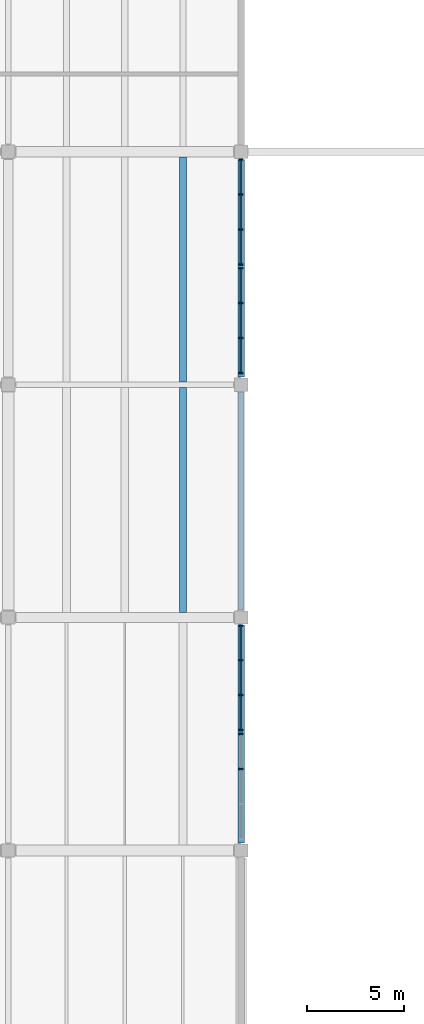
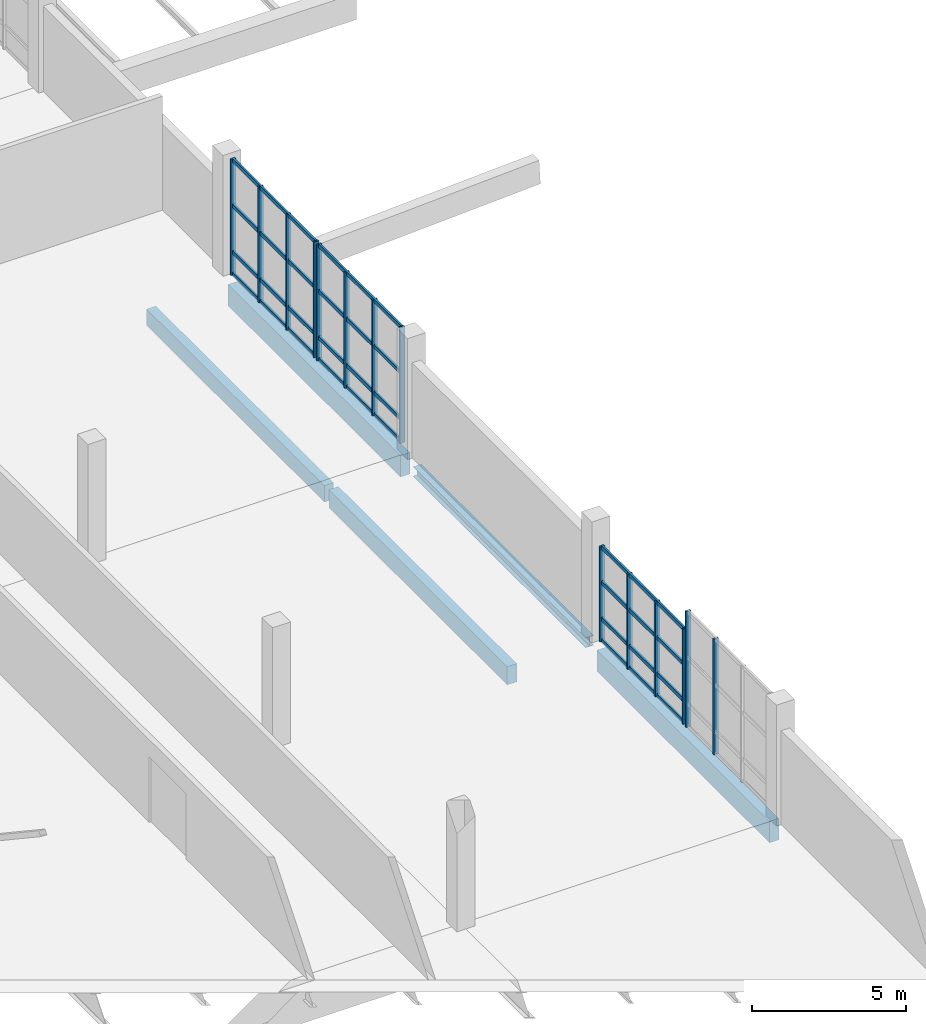
# One storey, part 12 of 49: 26 members, 5 beams, 4 elements without a shape of their own.
"""IFC4 building model written with IfcOpenShell, lengths in metres."""

from ifc_helpers import new_model, si_unit, direction, frame, origin, origin_2d, place, context, subcontext, project, spatial, rectangle, i_section, extrude, material, material_profile, profile_set, type_object, element, aggregate, save


model = new_model("IFC4")

# Units and contexts
model_context = context("Model", 3, precision=1e-05, world=origin(), true_north=direction((0.0, 1.0)))
body_context = subcontext(model_context, "Body", "Model", "MODEL_VIEW")
ifc_project = project(units=[si_unit("LENGTHUNIT", "METRE"), si_unit("AREAUNIT", "SQUARE_METRE"), si_unit("VOLUMEUNIT", "CUBIC_METRE"), si_unit("PLANEANGLEUNIT", "RADIAN"), si_unit("MASSUNIT", "GRAM", prefix="KILO")], contexts=[model_context])

# Site, building, storey
site_placement = place(None, origin())
site = spatial("IfcSite", under=ifc_project, at=site_placement, CompositionType="ELEMENT")
building_placement = place(site_placement, origin())
building = spatial("IfcBuilding", under=site, at=building_placement, Name="Kamomehara Wholesale Market", CompositionType="ELEMENT")
storey_placement = place(building_placement, frame((0.0, 0.0, 11.39990234375)))
storey = spatial("IfcBuildingStorey", under=building, at=storey_placement, Name="L02", CompositionType="ELEMENT", Elevation=11.39990234375)

# Beams
ifc_material_1 = material(Name="Precast concrete Fc45 (C40/50)", Category="concrete")
ifc_material_profile_1 = material_profile(ifc_material_1, rectangle(XDim=0.35009765625, YDim=0.64990234375, at=origin_2d()), Name="PC-JST-350x650")
ifc_profile_set_1 = profile_set([ifc_material_profile_1], Name="Precast concrete Fc45 (C40/50)")
beam_type_1 = type_object("IfcBeamType", Name="BM-PJ650", PredefinedType="JOIST", material=ifc_profile_set_1)
beam_1_placement = place(storey_placement, frame((33.0, 96.14990234375, -0.6669921875), z_axis=(0.0, 1.0, 0.0), x_axis=(-1.0, 0.0, 0.0)))
element("IfcBeam", 1, at=beam_1_placement, inside=storey, type_object=beam_type_1, Name="Beam PJ-04 L02", PredefinedType="JOIST", context=body_context, shape_type="SweptSolid", body=[
    extrude(rectangle(XDim=0.35009765625, YDim=0.64990234375, at=origin_2d()), origin(), (0.0, 0.0, 1.0), 11.5751953125),
])
ifc_material_2 = material(Name="Precast concrete Fc45 (C40/50)", Category="concrete")
ifc_material_profile_2 = material_profile(ifc_material_2, rectangle(XDim=0.360107421875, YDim=0.719970703125, at=origin_2d()), Name="PC-JST-360x720")
ifc_profile_set_2 = profile_set([ifc_material_profile_2], Name="Precast concrete Fc45 (C40/50)")
beam_type_2 = type_object("IfcBeamType", Name="BM-PJ720", PredefinedType="JOIST", material=ifc_profile_set_2)
beam_2_placement = place(storey_placement, frame((33.0, 84.25, -0.671875), z_axis=(0.0, 1.0, 0.0), x_axis=(-1.0, 0.0, 0.0)))
element("IfcBeam", 2, at=beam_2_placement, inside=storey, type_object=beam_type_2, Name="Beam PJ-08 L02", PredefinedType="JOIST", context=body_context, shape_type="SweptSolid", body=[
    extrude(rectangle(XDim=0.360107421875, YDim=0.719970703125, at=origin_2d()), origin(), (0.0, 0.0, 1.0), 11.60009765625),
])
ifc_material_3 = material(Name="Precast concrete Fc45 (C40/50)", Category="concrete")
ifc_material_profile_3 = material_profile(ifc_material_3, rectangle(XDim=0.35009765625, YDim=0.85009765625, at=origin_2d()), Name="PC-SPN-350x850")
ifc_profile_set_3 = profile_set([ifc_material_profile_3], Name="Precast concrete Fc45 (C40/50)")
beam_type_3 = type_object("IfcBeamType", Name="BM-SPN850-EXT", PredefinedType="SPANDREL", material=ifc_profile_set_3)
for number, where, z_axis, x_axis, name in (
    (3, (36.0, 72.389892578125, -0.73681640625), (0.0, 1.0, 0.0), (-1.0, 0.0, 0.0), "Beam SPN-02E L02"),
    (4, (36.0, 96.389892578125, -0.766845703125), (0.0, 1.0, 0.0), (-1.0, 0.0, 0.0), "Beam SPN-02E L02"),
):
    element("IfcBeam", number, at=place(storey_placement, frame(where, z_axis=z_axis, x_axis=x_axis)), inside=storey, type_object=beam_type_3, Name=name, PredefinedType="SPANDREL", context=body_context, shape_type="SweptSolid", body=[
        extrude(rectangle(XDim=0.35009765625, YDim=0.85009765625, at=origin_2d()), origin(), (0.0, 0.0, 1.0), 11.22021484375),
    ])
ifc_material_4 = material(Name="Steel SN490B", Category="steel")
ifc_material_profile_4 = material_profile(ifc_material_4, i_section(OverallWidth=0.300048828125, OverallDepth=0.389892578125, WebThickness=0.010009765625, FlangeThickness=0.01611328125, FilletRadius=0.01806640625, at=origin_2d()), Name="H-390x300x10x16")
ifc_profile_set_4 = profile_set([ifc_material_profile_4], Name="Steel SN490B")
beam_type_4 = type_object("IfcBeamType", Name="BM-ST-H390-EXT", PredefinedType="SPANDREL", material=ifc_profile_set_4)
beam_3_placement = place(storey_placement, frame((36.0, 84.389892578125, -0.5068359375), z_axis=(0.0, 1.0, 0.0), x_axis=(-1.0, 0.0, 0.0)))
element("IfcBeam", 5, at=beam_3_placement, inside=storey, type_object=beam_type_4, Name="Beam SJ-03E L02", PredefinedType="SPANDREL", context=body_context, shape_type="SweptSolid", body=[
    extrude(i_section(OverallWidth=0.300048828125, OverallDepth=0.389892578125, WebThickness=0.010009765625, FlangeThickness=0.01611328125, FilletRadius=0.01806640625, at=origin_2d()), origin(), (0.0, 0.0, 1.0), 11.22021484375),
])

# Curtain wall, members
ifc_material_5 = material(Name="Anodised aluminium 6063-T5", Category="aluminium")
curtain_wall_type = type_object("IfcCurtainWallType", Name="CW-UN-07", PredefinedType="NOTDEFINED", material=ifc_material_5)
curtain_wall_1_placement = place(storey_placement, origin())
curtain_wall_1 = element("IfcCurtainWall", 6, at=curtain_wall_1_placement, inside=storey, type_object=curtain_wall_type, Name="Unitised curtain wall CW-009", PredefinedType="NOTDEFINED")
ifc_material_6 = material(Name="Anodised aluminium 6063-T5", Category="aluminium")
ifc_material_profile_5 = material_profile(ifc_material_6, rectangle(XDim=0.074951171875, YDim=0.179931640625, at=origin_2d()), Name="ALU-MUL-75x180")
ifc_profile_set_5 = profile_set([ifc_material_profile_5], Name="Anodised aluminium 6063-T5")
member_type_1 = type_object("IfcMemberType", Name="CW-MUL-180", PredefinedType="MULLION", material=ifc_profile_set_5)
member_1_placement = place(storey_placement, frame((36.0, 83.60009765625, 0.0), z_axis=(0.0, 0.0, 1.0), x_axis=(0.0, -1.0, 0.0)))
member_1 = element("IfcMember", 7, at=member_1_placement, type_object=member_type_1, Name="Mullion CW-009.0", PredefinedType="MULLION", context=body_context, shape_type="SweptSolid", body=[
    extrude(rectangle(XDim=0.074951171875, YDim=0.179931640625, at=origin_2d()), origin(), (0.0, 0.0, 1.0), 3.780029296875),
])
member_2_placement = place(storey_placement, frame((36.0, 81.800048828125, 0.0), z_axis=(0.0, 0.0, 1.0), x_axis=(0.0, -1.0, 0.0)))
member_2 = element("IfcMember", 8, at=member_2_placement, type_object=member_type_1, Name="Mullion CW-009.1", PredefinedType="MULLION", context=body_context, shape_type="SweptSolid", body=[
    extrude(rectangle(XDim=0.074951171875, YDim=0.179931640625, at=origin_2d()), origin(), (0.0, 0.0, 1.0), 3.780029296875),
])
member_3_placement = place(storey_placement, frame((36.0, 80.0, 0.0), z_axis=(0.0, 0.0, 1.0), x_axis=(0.0, -1.0, 0.0)))
member_3 = element("IfcMember", 9, at=member_3_placement, type_object=member_type_1, Name="Mullion CW-009.2", PredefinedType="MULLION", context=body_context, shape_type="SweptSolid", body=[
    extrude(rectangle(XDim=0.074951171875, YDim=0.179931640625, at=origin_2d()), origin(), (0.0, 0.0, 1.0), 3.780029296875),
])
member_4_placement = place(storey_placement, frame((36.0, 78.199951171875, 0.0), z_axis=(0.0, 0.0, 1.0), x_axis=(0.0, -1.0, 0.0)))
member_4 = element("IfcMember", 10, at=member_4_placement, type_object=member_type_1, Name="Mullion CW-009.3", PredefinedType="MULLION", context=body_context, shape_type="SweptSolid", body=[
    extrude(rectangle(XDim=0.074951171875, YDim=0.179931640625, at=origin_2d()), origin(), (0.0, 0.0, 1.0), 3.780029296875),
])

curtain_wall_2_placement = place(storey_placement, origin())
curtain_wall_2 = element("IfcCurtainWall", 11, at=curtain_wall_2_placement, inside=storey, type_object=curtain_wall_type, Name="Unitised curtain wall CW-010", PredefinedType="NOTDEFINED")
member_5_placement = place(storey_placement, frame((36.0, 78.0, 0.0), z_axis=(0.0, 0.0, 1.0), x_axis=(0.0, -1.0, 0.0)))
member_5 = element("IfcMember", 12, at=member_5_placement, type_object=member_type_1, Name="Mullion CW-010.0", PredefinedType="MULLION", context=body_context, shape_type="SweptSolid", body=[
    extrude(rectangle(XDim=0.074951171875, YDim=0.179931640625, at=origin_2d()), origin(), (0.0, 0.0, 1.0), 4.60009765625),
])
member_6_placement = place(storey_placement, frame((36.0, 76.199951171875, 0.0), z_axis=(0.0, 0.0, 1.0), x_axis=(0.0, -1.0, 0.0)))
member_6 = element("IfcMember", 13, at=member_6_placement, type_object=member_type_1, Name="Mullion CW-010.1", PredefinedType="MULLION", context=body_context, shape_type="SweptSolid", body=[
    extrude(rectangle(XDim=0.074951171875, YDim=0.179931640625, at=origin_2d()), origin(), (0.0, 0.0, 1.0), 4.60009765625),
])
aggregate(curtain_wall_2, [member_5, member_6])

curtain_wall_3_placement = place(storey_placement, origin())
curtain_wall_3 = element("IfcCurtainWall", 14, at=curtain_wall_3_placement, inside=storey, type_object=curtain_wall_type, Name="Unitised curtain wall CW-011", PredefinedType="NOTDEFINED")
member_7_placement = place(storey_placement, frame((36.0, 107.60009765625, 0.0), z_axis=(0.0, 0.0, 1.0), x_axis=(0.0, -1.0, 0.0)))
member_7 = element("IfcMember", 15, at=member_7_placement, type_object=member_type_1, Name="Mullion CW-011.0", PredefinedType="MULLION", context=body_context, shape_type="SweptSolid", body=[
    extrude(rectangle(XDim=0.074951171875, YDim=0.179931640625, at=origin_2d()), origin(), (0.0, 0.0, 1.0), 4.60009765625),
])
member_8_placement = place(storey_placement, frame((36.0, 105.800048828125, 0.0), z_axis=(0.0, 0.0, 1.0), x_axis=(0.0, -1.0, 0.0)))
member_8 = element("IfcMember", 16, at=member_8_placement, type_object=member_type_1, Name="Mullion CW-011.1", PredefinedType="MULLION", context=body_context, shape_type="SweptSolid", body=[
    extrude(rectangle(XDim=0.074951171875, YDim=0.179931640625, at=origin_2d()), origin(), (0.0, 0.0, 1.0), 4.60009765625),
])
member_9_placement = place(storey_placement, frame((36.0, 104.0, 0.0), z_axis=(0.0, 0.0, 1.0), x_axis=(0.0, -1.0, 0.0)))
member_9 = element("IfcMember", 17, at=member_9_placement, type_object=member_type_1, Name="Mullion CW-011.2", PredefinedType="MULLION", context=body_context, shape_type="SweptSolid", body=[
    extrude(rectangle(XDim=0.074951171875, YDim=0.179931640625, at=origin_2d()), origin(), (0.0, 0.0, 1.0), 4.60009765625),
])
member_10_placement = place(storey_placement, frame((36.0, 102.199951171875, 0.0), z_axis=(0.0, 0.0, 1.0), x_axis=(0.0, -1.0, 0.0)))
member_10 = element("IfcMember", 18, at=member_10_placement, type_object=member_type_1, Name="Mullion CW-011.3", PredefinedType="MULLION", context=body_context, shape_type="SweptSolid", body=[
    extrude(rectangle(XDim=0.074951171875, YDim=0.179931640625, at=origin_2d()), origin(), (0.0, 0.0, 1.0), 4.60009765625),
])

curtain_wall_4_placement = place(storey_placement, origin())
curtain_wall_4 = element("IfcCurtainWall", 19, at=curtain_wall_4_placement, inside=storey, type_object=curtain_wall_type, Name="Unitised curtain wall CW-012", PredefinedType="NOTDEFINED")
member_11_placement = place(storey_placement, frame((36.0, 102.0, 0.0), z_axis=(0.0, 0.0, 1.0), x_axis=(0.0, -1.0, 0.0)))
member_11 = element("IfcMember", 20, at=member_11_placement, type_object=member_type_1, Name="Mullion CW-012.0", PredefinedType="MULLION", context=body_context, shape_type="SweptSolid", body=[
    extrude(rectangle(XDim=0.074951171875, YDim=0.179931640625, at=origin_2d()), origin(), (0.0, 0.0, 1.0), 4.60009765625),
])
member_12_placement = place(storey_placement, frame((36.0, 100.199951171875, 0.0), z_axis=(0.0, 0.0, 1.0), x_axis=(0.0, -1.0, 0.0)))
member_12 = element("IfcMember", 21, at=member_12_placement, type_object=member_type_1, Name="Mullion CW-012.1", PredefinedType="MULLION", context=body_context, shape_type="SweptSolid", body=[
    extrude(rectangle(XDim=0.074951171875, YDim=0.179931640625, at=origin_2d()), origin(), (0.0, 0.0, 1.0), 4.60009765625),
])
member_13_placement = place(storey_placement, frame((36.0, 98.39990234375, 0.0), z_axis=(0.0, 0.0, 1.0), x_axis=(0.0, -1.0, 0.0)))
member_13 = element("IfcMember", 22, at=member_13_placement, type_object=member_type_1, Name="Mullion CW-012.2", PredefinedType="MULLION", context=body_context, shape_type="SweptSolid", body=[
    extrude(rectangle(XDim=0.074951171875, YDim=0.179931640625, at=origin_2d()), origin(), (0.0, 0.0, 1.0), 4.60009765625),
])
member_14_placement = place(storey_placement, frame((36.0, 96.60009765625, 0.0), z_axis=(0.0, 0.0, 1.0), x_axis=(0.0, -1.0, 0.0)))
member_14 = element("IfcMember", 23, at=member_14_placement, type_object=member_type_1, Name="Mullion CW-012.3", PredefinedType="MULLION", context=body_context, shape_type="SweptSolid", body=[
    extrude(rectangle(XDim=0.074951171875, YDim=0.179931640625, at=origin_2d()), origin(), (0.0, 0.0, 1.0), 4.60009765625),
])

# Member
ifc_material_7 = material(Name="Anodised aluminium 6063-T5", Category="aluminium")
ifc_material_profile_6 = material_profile(ifc_material_7, rectangle(XDim=0.074951171875, YDim=0.14990234375, at=origin_2d()), Name="ALU-TRN-75x150")
ifc_profile_set_6 = profile_set([ifc_material_profile_6], Name="Anodised aluminium 6063-T5")
member_type_2 = type_object("IfcMemberType", Name="CW-TRN-150", PredefinedType="USERDEFINED", material=ifc_profile_set_6)
member_15_placement = place(storey_placement, frame((36.0, 83.60009765625, 0.0400390625), z_axis=(0.0, -1.0, 0.0), x_axis=(1.0, 0.0, 0.0)))
member_15 = element("IfcMember", 24, at=member_15_placement, type_object=member_type_2, Name="Transom CW-009.0", ObjectType="TRANSOM", PredefinedType="USERDEFINED", context=body_context, shape_type="SweptSolid", body=[
    extrude(rectangle(XDim=0.074951171875, YDim=0.14990234375, at=origin_2d()), origin(), (0.0, 0.0, 1.0), 5.400146484375),
])

member_16_placement = place(storey_placement, frame((36.0, 83.60009765625, 0.900146484375), z_axis=(0.0, -1.0, 0.0), x_axis=(1.0, 0.0, 0.0)))
member_16 = element("IfcMember", 25, at=member_16_placement, type_object=member_type_2, Name="Transom CW-009.1", ObjectType="TRANSOM", PredefinedType="USERDEFINED", context=body_context, shape_type="SweptSolid", body=[
    extrude(rectangle(XDim=0.074951171875, YDim=0.14990234375, at=origin_2d()), origin(), (0.0, 0.0, 1.0), 5.400146484375),
])

member_17_placement = place(storey_placement, frame((36.0, 83.60009765625, 2.340087890625), z_axis=(0.0, -1.0, 0.0), x_axis=(1.0, 0.0, 0.0)))
member_17 = element("IfcMember", 26, at=member_17_placement, type_object=member_type_2, Name="Transom CW-009.2", ObjectType="TRANSOM", PredefinedType="USERDEFINED", context=body_context, shape_type="SweptSolid", body=[
    extrude(rectangle(XDim=0.074951171875, YDim=0.14990234375, at=origin_2d()), origin(), (0.0, 0.0, 1.0), 5.400146484375),
])

member_18_placement = place(storey_placement, frame((36.0, 83.60009765625, 3.739990234375), z_axis=(0.0, -1.0, 0.0), x_axis=(1.0, 0.0, 0.0)))
member_18 = element("IfcMember", 27, at=member_18_placement, type_object=member_type_2, Name="Transom CW-009.3", ObjectType="TRANSOM", PredefinedType="USERDEFINED", context=body_context, shape_type="SweptSolid", body=[
    extrude(rectangle(XDim=0.074951171875, YDim=0.14990234375, at=origin_2d()), origin(), (0.0, 0.0, 1.0), 5.400146484375),
])

aggregate(curtain_wall_1, [member_1, member_2, member_3, member_4, member_15, member_16, member_17, member_18])

member_19_placement = place(storey_placement, frame((36.0, 107.60009765625, 0.0400390625), z_axis=(0.0, -1.0, 0.0), x_axis=(1.0, 0.0, 0.0)))
member_19 = element("IfcMember", 28, at=member_19_placement, type_object=member_type_2, Name="Transom CW-011.0", ObjectType="TRANSOM", PredefinedType="USERDEFINED", context=body_context, shape_type="SweptSolid", body=[
    extrude(rectangle(XDim=0.074951171875, YDim=0.14990234375, at=origin_2d()), origin(), (0.0, 0.0, 1.0), 5.400146484375),
])

member_20_placement = place(storey_placement, frame((36.0, 107.60009765625, 0.900146484375), z_axis=(0.0, -1.0, 0.0), x_axis=(1.0, 0.0, 0.0)))
member_20 = element("IfcMember", 29, at=member_20_placement, type_object=member_type_2, Name="Transom CW-011.1", ObjectType="TRANSOM", PredefinedType="USERDEFINED", context=body_context, shape_type="SweptSolid", body=[
    extrude(rectangle(XDim=0.074951171875, YDim=0.14990234375, at=origin_2d()), origin(), (0.0, 0.0, 1.0), 5.400146484375),
])

member_21_placement = place(storey_placement, frame((36.0, 107.60009765625, 2.75), z_axis=(0.0, -1.0, 0.0), x_axis=(1.0, 0.0, 0.0)))
member_21 = element("IfcMember", 30, at=member_21_placement, type_object=member_type_2, Name="Transom CW-011.2", ObjectType="TRANSOM", PredefinedType="USERDEFINED", context=body_context, shape_type="SweptSolid", body=[
    extrude(rectangle(XDim=0.074951171875, YDim=0.14990234375, at=origin_2d()), origin(), (0.0, 0.0, 1.0), 5.400146484375),
])

member_22_placement = place(storey_placement, frame((36.0, 107.60009765625, 4.56005859375), z_axis=(0.0, -1.0, 0.0), x_axis=(1.0, 0.0, 0.0)))
member_22 = element("IfcMember", 31, at=member_22_placement, type_object=member_type_2, Name="Transom CW-011.3", ObjectType="TRANSOM", PredefinedType="USERDEFINED", context=body_context, shape_type="SweptSolid", body=[
    extrude(rectangle(XDim=0.074951171875, YDim=0.14990234375, at=origin_2d()), origin(), (0.0, 0.0, 1.0), 5.400146484375),
])

aggregate(curtain_wall_3, [member_7, member_8, member_9, member_10, member_19, member_20, member_21, member_22])

member_23_placement = place(storey_placement, frame((36.0, 102.0, 0.0400390625), z_axis=(0.0, -1.0, 0.0), x_axis=(1.0, 0.0, 0.0)))
member_23 = element("IfcMember", 32, at=member_23_placement, type_object=member_type_2, Name="Transom CW-012.0", ObjectType="TRANSOM", PredefinedType="USERDEFINED", context=body_context, shape_type="SweptSolid", body=[
    extrude(rectangle(XDim=0.074951171875, YDim=0.14990234375, at=origin_2d()), origin(), (0.0, 0.0, 1.0), 5.39990234375),
])

member_24_placement = place(storey_placement, frame((36.0, 102.0, 0.900146484375), z_axis=(0.0, -1.0, 0.0), x_axis=(1.0, 0.0, 0.0)))
member_24 = element("IfcMember", 33, at=member_24_placement, type_object=member_type_2, Name="Transom CW-012.1", ObjectType="TRANSOM", PredefinedType="USERDEFINED", context=body_context, shape_type="SweptSolid", body=[
    extrude(rectangle(XDim=0.074951171875, YDim=0.14990234375, at=origin_2d()), origin(), (0.0, 0.0, 1.0), 5.39990234375),
])

member_25_placement = place(storey_placement, frame((36.0, 102.0, 2.75), z_axis=(0.0, -1.0, 0.0), x_axis=(1.0, 0.0, 0.0)))
member_25 = element("IfcMember", 34, at=member_25_placement, type_object=member_type_2, Name="Transom CW-012.2", ObjectType="TRANSOM", PredefinedType="USERDEFINED", context=body_context, shape_type="SweptSolid", body=[
    extrude(rectangle(XDim=0.074951171875, YDim=0.14990234375, at=origin_2d()), origin(), (0.0, 0.0, 1.0), 5.39990234375),
])

member_26_placement = place(storey_placement, frame((36.0, 102.0, 4.56005859375), z_axis=(0.0, -1.0, 0.0), x_axis=(1.0, 0.0, 0.0)))
member_26 = element("IfcMember", 35, at=member_26_placement, type_object=member_type_2, Name="Transom CW-012.3", ObjectType="TRANSOM", PredefinedType="USERDEFINED", context=body_context, shape_type="SweptSolid", body=[
    extrude(rectangle(XDim=0.074951171875, YDim=0.14990234375, at=origin_2d()), origin(), (0.0, 0.0, 1.0), 5.39990234375),
])

aggregate(curtain_wall_4, [member_11, member_12, member_13, member_14, member_23, member_24, member_25, member_26])

save(model, "model.ifc")
